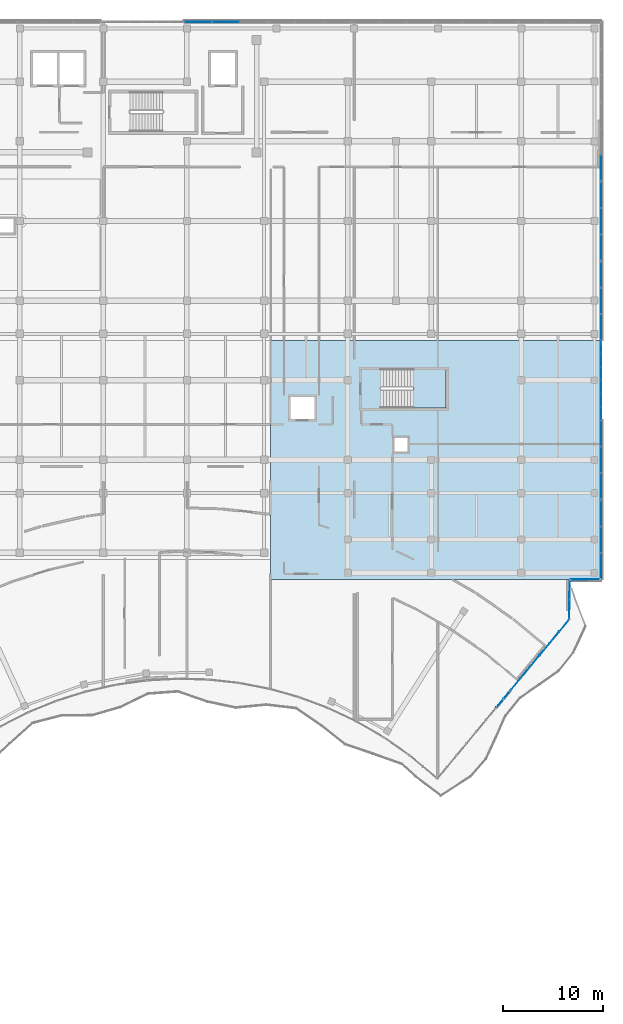
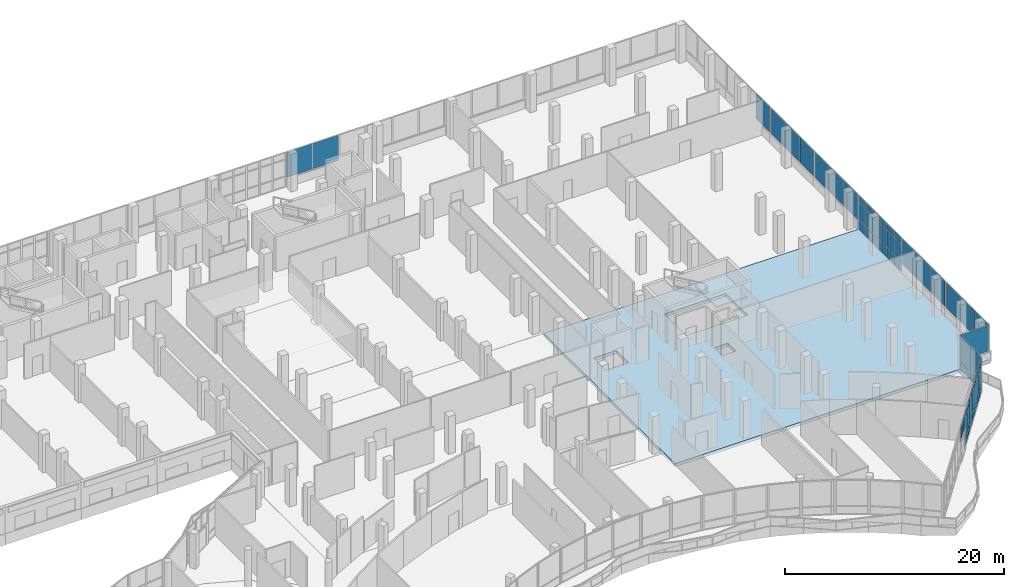
# One storey, part 157 of 184: 58 plates, 2 slabs, 12 elements without a shape of their own.
"""IFC4 building model written with IfcOpenShell, lengths in metres."""

import ifcopenshell
import ifcopenshell.guid

model = None  # the IFC model being written
_history = None  # IfcOwnerHistory: only IFC2X3 demands one
_inside = {}  # id of a spatial element -> (the spatial element, [elements in it])
_under = {}  # id of a project, library or spatial element -> (it, [spatial elements below it])
_declared = {}  # id of a project -> (the project, [libraries it declares])
_typed = {}  # id of a type object -> (the type object, [elements of that type])
_made_of = {}  # id of a material, layer set ... -> (it, [elements and type objects made of it])


def new_model(schema):
    """Start an empty IFC model of exactly this schema.

    Asked for "IFC4X3", IfcOpenShell would pick the latest addendum, in which some entities
    have other attributes; the version numbers below select the first issue.
    IFC2X3 requires an IfcOwnerHistory on every rooted entity: one is made here for all.
    """
    global model, _history
    if schema == "IFC4X3":
        model = ifcopenshell.file(schema_version=(4, 3, 0, 0))
    else:
        model = ifcopenshell.file(schema=schema)
    _inside.clear()
    _under.clear()
    _declared.clear()
    _typed.clear()
    _made_of.clear()
    _history = None
    if model.schema == "IFC2X3":
        org = make("IfcOrganization", Name="unknown")
        user = make(
            "IfcPersonAndOrganization",
            ThePerson=make("IfcPerson", FamilyName="unknown"),
            TheOrganization=org,
        )
        app = make(
            "IfcApplication",
            ApplicationDeveloper=org,
            Version="unknown",
            ApplicationFullName="unknown",
            ApplicationIdentifier="unknown",
        )
        _history = make(
            "IfcOwnerHistory",
            OwningUser=user,
            OwningApplication=app,
            ChangeAction="ADDED",
            CreationDate=0,
        )
    return model


def make(cls, **values):
    """One entity of the class cls with the attributes given. An attribute that is None is left unset."""
    return model.create_entity(
        cls, **{name: value for name, value in values.items() if value is not None}
    )


def rooted(cls, **values):
    """An entity with a GlobalId (a new one), such as an element, a storey or a relation."""
    return make(cls, GlobalId=ifcopenshell.guid.new(), OwnerHistory=_history, **values)


def si_unit(unit_type, name, prefix=None):
    """IfcSIUnit, for example si_unit("LENGTHUNIT", "METRE", prefix="MILLI")."""
    return make("IfcSIUnit", UnitType=unit_type, Prefix=prefix, Name=name)


def assignment(units):
    """IfcUnitAssignment: the units of a project."""
    return None if units is None else make("IfcUnitAssignment", Units=units)


def point(xyz):
    """IfcCartesianPoint."""
    return None if xyz is None else make("IfcCartesianPoint", Coordinates=xyz)


def direction(xyz):
    """IfcDirection."""
    return None if xyz is None else make("IfcDirection", DirectionRatios=xyz)


def frame(location, z_axis=None, x_axis=None):
    """IfcAxis2Placement3D, a coordinate frame: its origin and axes. An axis left out is left unset."""
    return make(
        "IfcAxis2Placement3D",
        Location=point(location),
        Axis=direction(z_axis),
        RefDirection=direction(x_axis),
    )


def frame_2d(location, x_axis=None):
    """IfcAxis2Placement2D, a coordinate frame in the plane: its origin and x axis."""
    return make(
        "IfcAxis2Placement2D", Location=point(location), RefDirection=direction(x_axis)
    )


def origin():
    """The frame at (0, 0, 0) with its axes left unset."""
    return frame((0.0, 0.0, 0.0))


def origin_2d():
    """The frame at (0, 0) in the plane with its x axis left unset."""
    return frame_2d((0.0, 0.0))


def place(relative_to, where):
    """IfcLocalPlacement: puts the frame where relative to a parent placement (None: the world)."""
    return make(
        "IfcLocalPlacement", PlacementRelTo=relative_to, RelativePlacement=where
    )


def context(
    kind, dimensions, precision=None, world=None, true_north=None, identifier=None
):
    """IfcGeometricRepresentationContext, for example the 3D "Model" context."""
    return make(
        "IfcGeometricRepresentationContext",
        ContextIdentifier=identifier,
        ContextType=kind,
        CoordinateSpaceDimension=dimensions,
        Precision=precision,
        WorldCoordinateSystem=world,
        TrueNorth=true_north,
    )


def subcontext(parent, identifier, kind, view, scale=None):
    """IfcGeometricRepresentationSubContext, for example "Body" below "Model"."""
    return make(
        "IfcGeometricRepresentationSubContext",
        ContextIdentifier=identifier,
        ContextType=kind,
        ParentContext=parent,
        TargetScale=scale,
        TargetView=view,
    )


def project(units=None, contexts=None):
    """IfcProject with its units and contexts."""
    return rooted(
        "IfcProject",
        Name="project",
        RepresentationContexts=contexts,
        UnitsInContext=assignment(units),
    )


def spatial(cls, under=None, at=None, **own):
    """A site, building, storey or space (cls), placed at a placement, below another one or the project."""
    s = rooted(cls, ObjectPlacement=at, **own)
    if under is not None:
        _under.setdefault(under.id(), (under, []))[1].append(s)
    return s


def polyline(points):
    """IfcPolyline through the points."""
    return make("IfcPolyline", Points=[point(p) for p in points])


def profile(cls, at=None, kind="AREA", **sizes):
    """A parametric profile (cls). Its sizes go by their IFC names, for example OverallWidth=200.0."""
    return make(cls, ProfileType=kind, Position=at, **sizes)


def rectangle(**sizes):
    """IfcRectangleProfileDef."""
    return profile("IfcRectangleProfileDef", **sizes)


def outline(outer, holes=None, kind="AREA"):
    """IfcArbitraryClosedProfileDef: a profile drawn as a closed curve; with holes, ...WithVoids."""
    if holes is None:
        return make("IfcArbitraryClosedProfileDef", ProfileType=kind, OuterCurve=outer)
    return make(
        "IfcArbitraryProfileDefWithVoids",
        ProfileType=kind,
        OuterCurve=outer,
        InnerCurves=holes,
    )


def extrude(swept, where, along, depth):
    """IfcExtrudedAreaSolid: the profile swept, set in the frame where, extruded along a direction by depth."""
    return make(
        "IfcExtrudedAreaSolid",
        SweptArea=swept,
        Position=where,
        ExtrudedDirection=direction(along),
        Depth=depth,
    )


def shape(context_of_items, identifier, shape_type, items):
    """IfcShapeRepresentation: the items that make up one representation, for example the "Body"."""
    return make(
        "IfcShapeRepresentation",
        ContextOfItems=context_of_items,
        RepresentationIdentifier=identifier,
        RepresentationType=shape_type,
        Items=items,
    )


def material(Name=None, Category=None):
    """IfcMaterial."""
    return make("IfcMaterial", Name=Name, Category=Category)


def layer(
    of_material, thickness, ventilated=None, Name=None, Category=None, Priority=None
):
    """IfcMaterialLayer: one layer of a wall or slab, of a material (None: an air gap)."""
    return make(
        "IfcMaterialLayer",
        Material=of_material,
        LayerThickness=thickness,
        IsVentilated=ventilated,
        Name=Name,
        Category=Category,
        Priority=Priority,
    )


def layer_set(layers, Name=None):
    """IfcMaterialLayerSet."""
    return make("IfcMaterialLayerSet", MaterialLayers=layers, LayerSetName=Name)


def made_of(thing, what):
    """Note that an element or type object is made of a material, layer set ...; save() writes the relation."""
    if what is not None:
        _made_of.setdefault(what.id(), (what, []))[1].append(thing)
    return thing


def type_object(cls, material=None, **own):
    """A type object (cls), such as IfcWallType, which elements share."""
    return made_of(rooted(cls, **own), material)


def element(
    cls,
    number,
    at=None,
    inside=None,
    cuts=None,
    type_object=None,
    material=None,
    context=None,
    identifier="Body",
    shape_type=None,
    held_by="IfcProductDefinitionShape",
    body=None,
    shapes=None,
    **own,
):
    """One element of the class cls, such as IfcWall. Its Tag is "e" and its number.

    at: its placement. inside: the storey or other place that contains it. cuts: it is an
    opening in that element (IfcRelVoidsElement). A single representation is given by context,
    identifier, shape_type and body (its items); several are given by shapes. held_by: the class
    of the entity that holds the representations. save() writes the other relations.
    """
    e = rooted(cls, Tag="e%d" % number, ObjectPlacement=at, **own)
    if body is not None:
        shapes = [shape(context, identifier, shape_type, body)]
    if shapes is not None:
        e.Representation = make(held_by, Representations=shapes)
    if inside is not None:
        _inside.setdefault(inside.id(), (inside, []))[1].append(e)
    if cuts is not None:
        rooted(
            "IfcRelVoidsElement", RelatingBuildingElement=cuts, RelatedOpeningElement=e
        )
    if type_object is not None:
        _typed.setdefault(type_object.id(), (type_object, []))[1].append(e)
    return made_of(e, material)


def aggregate(whole, parts):
    """IfcRelAggregates: a whole, such as a stair, and the parts it consists of."""
    return rooted("IfcRelAggregates", RelatingObject=whole, RelatedObjects=parts)


def save(model, path):
    """Write the relations noted so far, then the file.

    IfcRelAggregates (storeys below a building ...), IfcRelContainedInSpatialStructure (elements
    in a storey), IfcRelDefinesByType, IfcRelAssociatesMaterial and IfcRelDeclares: one each for
    every whole, place, type object, material and project.
    """
    for whole, parts in _under.values():
        aggregate(whole, parts)
    for where, things in _inside.values():
        rooted(
            "IfcRelContainedInSpatialStructure",
            RelatedElements=things,
            RelatingStructure=where,
        )
    for kind, things in _typed.values():
        rooted("IfcRelDefinesByType", RelatedObjects=things, RelatingType=kind)
    for what, things in _made_of.values():
        rooted("IfcRelAssociatesMaterial", RelatedObjects=things, RelatingMaterial=what)
    for by, libraries in _declared.values():
        rooted("IfcRelDeclares", RelatingContext=by, RelatedDefinitions=libraries)
    model.write(path)


model = new_model("IFC4")

# Units and contexts
model_context = context("Model", 3, precision=1e-05, world=origin(), true_north=direction((0.0, 1.0)))
body_context = subcontext(model_context, "Body", "Model", "MODEL_VIEW")
ifc_project = project(units=[si_unit("LENGTHUNIT", "METRE"), si_unit("AREAUNIT", "SQUARE_METRE"), si_unit("VOLUMEUNIT", "CUBIC_METRE"), si_unit("PLANEANGLEUNIT", "RADIAN"), si_unit("MASSUNIT", "GRAM", prefix="KILO")], contexts=[model_context])

# Site, building, storey
site_placement = place(None, origin())
site = spatial("IfcSite", under=ifc_project, at=site_placement, CompositionType="ELEMENT")
building_placement = place(site_placement, origin())
building = spatial("IfcBuilding", under=site, at=building_placement, Name="Selatvlak General Hospital", CompositionType="ELEMENT")
storey_placement = place(building_placement, frame((0.0, 0.0, 15.0)))
storey = spatial("IfcBuildingStorey", under=building, at=storey_placement, Name="L03", CompositionType="ELEMENT", Elevation=15.0)

# Curtain wall, plates
ifc_material_1 = material(Name="Solar-control Low-E double glazing", Category="glass")
curtain_wall_type_1 = type_object("IfcCurtainWallType", Name="CW-CW-02", PredefinedType="USERDEFINED", material=ifc_material_1)
curtain_wall_1_placement = place(storey_placement, origin())
curtain_wall_1 = element("IfcCurtainWall", 1, at=curtain_wall_1_placement, inside=storey, type_object=curtain_wall_type_1, Name="Glazed facade curtain wall CW-L03-0379", ObjectType="UNITISED CURTAIN WALL", PredefinedType="USERDEFINED")
ifc_layer_1 = layer(ifc_material_1, 0.028076171875, Name="Solar-control Low-E double glazing", Category="glass")
ifc_layer_set_1 = layer_set([ifc_layer_1], Name="Solar-control Low-E double glazing")
plate_type_1 = type_object("IfcPlateType", Name="CWP-01", PredefinedType="CURTAIN_PANEL", material=ifc_layer_set_1)
plate_1_placement = place(storey_placement, frame((141.52197265625, 120.0, 1.0048828125), z_axis=(0.0, 0.0, 1.0), x_axis=(1.0, 0.0, 0.0)))
plate_1 = element("IfcPlate", 2, at=plate_1_placement, type_object=plate_type_1, Name="CW-02 panel 1.1", PredefinedType="CURTAIN_PANEL", context=body_context, shape_type="SweptSolid", body=[
    extrude(rectangle(XDim=2.685791015625, YDim=0.028076171875, at=origin_2d()), origin(), (0.0, 0.0, 1.0), 2.824951171875),
])
plate_2_placement = place(storey_placement, frame((144.2890625, 120.0, 1.0048828125), z_axis=(0.0, 0.0, 1.0), x_axis=(1.0, 0.0, 0.0)))
plate_2 = element("IfcPlate", 3, at=plate_2_placement, type_object=plate_type_1, Name="CW-02 panel 2.1", PredefinedType="CURTAIN_PANEL", context=body_context, shape_type="SweptSolid", body=[
    extrude(rectangle(XDim=2.71826171875, YDim=0.028076171875, at=origin_2d()), origin(), (0.0, 0.0, 1.0), 2.824951171875),
])
aggregate(curtain_wall_1, [plate_1, plate_2])

# Curtain wall, plate
curtain_wall_2_placement = place(storey_placement, origin())
curtain_wall_2 = element("IfcCurtainWall", 4, at=curtain_wall_2_placement, inside=storey, type_object=curtain_wall_type_1, Name="Glazed facade curtain wall CW-L03-0385", ObjectType="UNITISED CURTAIN WALL", PredefinedType="USERDEFINED")
plate_3_placement = place(storey_placement, frame((181.999755859375, 105.35205078125, 1.0048828125), z_axis=(0.0, 0.0, 1.0), x_axis=(0.000126278568, -0.999999992027, 0.0)))
plate_3 = element("IfcPlate", 5, at=plate_3_placement, type_object=plate_type_1, Name="CW-02 panel 3.1", PredefinedType="CURTAIN_PANEL", context=body_context, shape_type="SweptSolid", body=[
    extrude(rectangle(XDim=2.542236328125, YDim=0.028076171875, at=origin_2d()), origin(), (0.0, 0.0, 1.0), 2.824951171875),
])
aggregate(curtain_wall_2, [plate_3])

# Curtain wall, plates
curtain_wall_type_2 = type_object("IfcCurtainWallType", Name="CW-CW-01", PredefinedType="USERDEFINED", material=ifc_material_1)
curtain_wall_3_placement = place(storey_placement, origin())
curtain_wall_3 = element("IfcCurtainWall", 6, at=curtain_wall_3_placement, inside=storey, type_object=curtain_wall_type_2, Name="Glazed facade curtain wall CW-L03-0386", ObjectType="UNITISED CURTAIN WALL", PredefinedType="USERDEFINED")
plate_4_placement = place(storey_placement, frame((182.0, 102.599853515625, 1.0048828125), z_axis=(0.0, 0.0, 1.0), x_axis=(0.0, -1.0, 0.0)))
plate_4 = element("IfcPlate", 7, at=plate_4_placement, type_object=plate_type_1, Name="CW-01 panel 1.1", PredefinedType="CURTAIN_PANEL", context=body_context, shape_type="SweptSolid", body=[
    extrude(rectangle(XDim=2.54248046875, YDim=0.028076171875, at=origin_2d()), origin(), (0.0, 0.0, 1.0), 2.824951171875),
])
plate_5_placement = place(storey_placement, frame((182.0, 99.97607421875, 1.0048828125), z_axis=(0.0, 0.0, 1.0), x_axis=(0.0, -1.0, 0.0)))
plate_5 = element("IfcPlate", 8, at=plate_5_placement, type_object=plate_type_1, Name="CW-01 panel 2.1", PredefinedType="CURTAIN_PANEL", context=body_context, shape_type="SweptSolid", body=[
    extrude(rectangle(XDim=2.574951171875, YDim=0.028076171875, at=origin_2d()), origin(), (0.0, 0.0, 1.0), 2.824951171875),
])
plate_6_placement = place(storey_placement, frame((182.0, 97.352294921875, 1.0048828125), z_axis=(0.0, 0.0, 1.0), x_axis=(0.0, -1.0, 0.0)))
plate_6 = element("IfcPlate", 9, at=plate_6_placement, type_object=plate_type_1, Name="CW-01 panel 3.1", PredefinedType="CURTAIN_PANEL", context=body_context, shape_type="SweptSolid", body=[
    extrude(rectangle(XDim=2.54248046875, YDim=0.028076171875, at=origin_2d()), origin(), (0.0, 0.0, 1.0), 2.824951171875),
])
aggregate(curtain_wall_3, [plate_4, plate_5, plate_6])

curtain_wall_4_placement = place(storey_placement, origin())
curtain_wall_4 = element("IfcCurtainWall", 10, at=curtain_wall_4_placement, inside=storey, type_object=curtain_wall_type_1, Name="Glazed facade curtain wall CW-L03-0387", ObjectType="UNITISED CURTAIN WALL", PredefinedType="USERDEFINED")
plate_7_placement = place(storey_placement, frame((182.0, 94.599853515625, 1.0048828125), z_axis=(0.0, 0.0, 1.0), x_axis=(0.0, -1.0, 0.0)))
plate_7 = element("IfcPlate", 11, at=plate_7_placement, type_object=plate_type_1, Name="CW-02 panel 1.1", PredefinedType="CURTAIN_PANEL", context=body_context, shape_type="SweptSolid", body=[
    extrude(rectangle(XDim=2.54248046875, YDim=0.028076171875, at=origin_2d()), origin(), (0.0, 0.0, 1.0), 2.824951171875),
])
plate_8_placement = place(storey_placement, frame((182.0, 91.97607421875, 1.0048828125), z_axis=(0.0, 0.0, 1.0), x_axis=(0.0, -1.0, 0.0)))
plate_8 = element("IfcPlate", 12, at=plate_8_placement, type_object=plate_type_1, Name="CW-02 panel 2.1", PredefinedType="CURTAIN_PANEL", context=body_context, shape_type="SweptSolid", body=[
    extrude(rectangle(XDim=2.574951171875, YDim=0.028076171875, at=origin_2d()), origin(), (0.0, 0.0, 1.0), 2.824951171875),
])
plate_9_placement = place(storey_placement, frame((182.0, 89.352294921875, 1.0048828125), z_axis=(0.0, 0.0, 1.0), x_axis=(0.0, -1.0, 0.0)))
plate_9 = element("IfcPlate", 13, at=plate_9_placement, type_object=plate_type_1, Name="CW-02 panel 3.1", PredefinedType="CURTAIN_PANEL", context=body_context, shape_type="SweptSolid", body=[
    extrude(rectangle(XDim=2.54248046875, YDim=0.028076171875, at=origin_2d()), origin(), (0.0, 0.0, 1.0), 2.824951171875),
])
aggregate(curtain_wall_4, [plate_7, plate_8, plate_9])

curtain_wall_type_3 = type_object("IfcCurtainWallType", Name="CW-CW-04", PredefinedType="USERDEFINED", material=ifc_material_1)
curtain_wall_5_placement = place(storey_placement, origin())
curtain_wall_5 = element("IfcCurtainWall", 14, at=curtain_wall_5_placement, inside=storey, type_object=curtain_wall_type_3, Name="Glazed facade curtain wall CW-L03-0388", ObjectType="STICK GLAZING WALL", PredefinedType="USERDEFINED")
plate_10_placement = place(storey_placement, frame((182.0, 87.3056640625, 0.06494140625), z_axis=(0.0, 0.0, 1.0), x_axis=(0.0, -1.0, 0.0)))
plate_10 = element("IfcPlate", 15, at=plate_10_placement, type_object=plate_type_1, Name="CW-04 panel 1.1", PredefinedType="CURTAIN_PANEL", context=body_context, shape_type="SweptSolid", body=[
    extrude(rectangle(XDim=1.230712890625, YDim=0.028076171875, at=origin_2d()), origin(), (0.0, 0.0, 1.0), 1.1025390625),
])
plate_11_placement = place(storey_placement, frame((182.0, 87.3056640625, 1.232421875), z_axis=(0.0, 0.0, 1.0), x_axis=(0.0, -1.0, 0.0)))
plate_11 = element("IfcPlate", 16, at=plate_11_placement, type_object=plate_type_1, Name="CW-04 panel 1.2", PredefinedType="CURTAIN_PANEL", context=body_context, shape_type="SweptSolid", body=[
    extrude(rectangle(XDim=1.230712890625, YDim=0.028076171875, at=origin_2d()), origin(), (0.0, 0.0, 1.0), 1.830078125),
])
plate_12_placement = place(storey_placement, frame((182.0, 87.3056640625, 3.12744140625), z_axis=(0.0, 0.0, 1.0), x_axis=(0.0, -1.0, 0.0)))
plate_12 = element("IfcPlate", 17, at=plate_12_placement, type_object=plate_type_1, Name="CW-04 panel 1.3", PredefinedType="CURTAIN_PANEL", context=body_context, shape_type="SweptSolid", body=[
    extrude(rectangle(XDim=1.230712890625, YDim=0.028076171875, at=origin_2d()), origin(), (0.0, 0.0, 1.0), 0.702392578125),
])
plate_13_placement = place(storey_placement, frame((182.0, 85.993408203125, 0.06494140625), z_axis=(0.0, 0.0, 1.0), x_axis=(0.0, -1.0, 0.0)))
plate_13 = element("IfcPlate", 18, at=plate_13_placement, type_object=plate_type_1, Name="CW-04 panel 2.1", PredefinedType="CURTAIN_PANEL", context=body_context, shape_type="SweptSolid", body=[
    extrude(rectangle(XDim=1.263427734375, YDim=0.028076171875, at=origin_2d()), origin(), (0.0, 0.0, 1.0), 1.1025390625),
])
plate_14_placement = place(storey_placement, frame((182.0, 85.993408203125, 1.232421875), z_axis=(0.0, 0.0, 1.0), x_axis=(0.0, -1.0, 0.0)))
plate_14 = element("IfcPlate", 19, at=plate_14_placement, type_object=plate_type_1, Name="CW-04 panel 2.2", PredefinedType="CURTAIN_PANEL", context=body_context, shape_type="SweptSolid", body=[
    extrude(rectangle(XDim=1.263427734375, YDim=0.028076171875, at=origin_2d()), origin(), (0.0, 0.0, 1.0), 1.830078125),
])
plate_15_placement = place(storey_placement, frame((182.0, 85.993408203125, 3.12744140625), z_axis=(0.0, 0.0, 1.0), x_axis=(0.0, -1.0, 0.0)))
plate_15 = element("IfcPlate", 20, at=plate_15_placement, type_object=plate_type_1, Name="CW-04 panel 2.3", PredefinedType="CURTAIN_PANEL", context=body_context, shape_type="SweptSolid", body=[
    extrude(rectangle(XDim=1.263427734375, YDim=0.028076171875, at=origin_2d()), origin(), (0.0, 0.0, 1.0), 0.702392578125),
])
plate_16_placement = place(storey_placement, frame((182.0, 84.665283203125, 0.06494140625), z_axis=(0.0, 0.0, 1.0), x_axis=(0.0, -1.0, 0.0)))
plate_16 = element("IfcPlate", 21, at=plate_16_placement, type_object=plate_type_1, Name="CW-04 panel 3.1", PredefinedType="CURTAIN_PANEL", context=body_context, shape_type="SweptSolid", body=[
    extrude(rectangle(XDim=1.263427734375, YDim=0.028076171875, at=origin_2d()), origin(), (0.0, 0.0, 1.0), 1.1025390625),
])
plate_17_placement = place(storey_placement, frame((182.0, 84.665283203125, 1.232421875), z_axis=(0.0, 0.0, 1.0), x_axis=(0.0, -1.0, 0.0)))
plate_17 = element("IfcPlate", 22, at=plate_17_placement, type_object=plate_type_1, Name="CW-04 panel 3.2", PredefinedType="CURTAIN_PANEL", context=body_context, shape_type="SweptSolid", body=[
    extrude(rectangle(XDim=1.263427734375, YDim=0.028076171875, at=origin_2d()), origin(), (0.0, 0.0, 1.0), 1.830078125),
])
plate_18_placement = place(storey_placement, frame((182.0, 84.665283203125, 3.12744140625), z_axis=(0.0, 0.0, 1.0), x_axis=(0.0, -1.0, 0.0)))
plate_18 = element("IfcPlate", 23, at=plate_18_placement, type_object=plate_type_1, Name="CW-04 panel 3.3", PredefinedType="CURTAIN_PANEL", context=body_context, shape_type="SweptSolid", body=[
    extrude(rectangle(XDim=1.263427734375, YDim=0.028076171875, at=origin_2d()), origin(), (0.0, 0.0, 1.0), 0.702392578125),
])
plate_19_placement = place(storey_placement, frame((182.0, 83.3369140625, 0.06494140625), z_axis=(0.0, 0.0, 1.0), x_axis=(0.0, -1.0, 0.0)))
plate_19 = element("IfcPlate", 24, at=plate_19_placement, type_object=plate_type_1, Name="CW-04 panel 4.1", PredefinedType="CURTAIN_PANEL", context=body_context, shape_type="SweptSolid", body=[
    extrude(rectangle(XDim=1.263427734375, YDim=0.028076171875, at=origin_2d()), origin(), (0.0, 0.0, 1.0), 1.1025390625),
])
plate_20_placement = place(storey_placement, frame((182.0, 83.3369140625, 1.232421875), z_axis=(0.0, 0.0, 1.0), x_axis=(0.0, -1.0, 0.0)))
plate_20 = element("IfcPlate", 25, at=plate_20_placement, type_object=plate_type_1, Name="CW-04 panel 4.2", PredefinedType="CURTAIN_PANEL", context=body_context, shape_type="SweptSolid", body=[
    extrude(rectangle(XDim=1.263427734375, YDim=0.028076171875, at=origin_2d()), origin(), (0.0, 0.0, 1.0), 1.830078125),
])
plate_21_placement = place(storey_placement, frame((182.0, 83.3369140625, 3.12744140625), z_axis=(0.0, 0.0, 1.0), x_axis=(0.0, -1.0, 0.0)))
plate_21 = element("IfcPlate", 26, at=plate_21_placement, type_object=plate_type_1, Name="CW-04 panel 4.3", PredefinedType="CURTAIN_PANEL", context=body_context, shape_type="SweptSolid", body=[
    extrude(rectangle(XDim=1.263427734375, YDim=0.028076171875, at=origin_2d()), origin(), (0.0, 0.0, 1.0), 0.702392578125),
])
plate_22_placement = place(storey_placement, frame((182.0, 82.008544921875, 0.06494140625), z_axis=(0.0, 0.0, 1.0), x_axis=(0.0, -1.0, 0.0)))
plate_22 = element("IfcPlate", 27, at=plate_22_placement, type_object=plate_type_1, Name="CW-04 panel 5.1", PredefinedType="CURTAIN_PANEL", context=body_context, shape_type="SweptSolid", body=[
    extrude(rectangle(XDim=1.263427734375, YDim=0.028076171875, at=origin_2d()), origin(), (0.0, 0.0, 1.0), 1.1025390625),
])
plate_23_placement = place(storey_placement, frame((182.0, 82.008544921875, 1.232421875), z_axis=(0.0, 0.0, 1.0), x_axis=(0.0, -1.0, 0.0)))
plate_23 = element("IfcPlate", 28, at=plate_23_placement, type_object=plate_type_1, Name="CW-04 panel 5.2", PredefinedType="CURTAIN_PANEL", context=body_context, shape_type="SweptSolid", body=[
    extrude(rectangle(XDim=1.263427734375, YDim=0.028076171875, at=origin_2d()), origin(), (0.0, 0.0, 1.0), 1.830078125),
])
plate_24_placement = place(storey_placement, frame((182.0, 82.008544921875, 3.12744140625), z_axis=(0.0, 0.0, 1.0), x_axis=(0.0, -1.0, 0.0)))
plate_24 = element("IfcPlate", 29, at=plate_24_placement, type_object=plate_type_1, Name="CW-04 panel 5.3", PredefinedType="CURTAIN_PANEL", context=body_context, shape_type="SweptSolid", body=[
    extrude(rectangle(XDim=1.263427734375, YDim=0.028076171875, at=origin_2d()), origin(), (0.0, 0.0, 1.0), 0.702392578125),
])
plate_25_placement = place(storey_placement, frame((182.0, 80.696533203125, 0.06494140625), z_axis=(0.0, 0.0, 1.0), x_axis=(0.0, -1.0, 0.0)))
plate_25 = element("IfcPlate", 30, at=plate_25_placement, type_object=plate_type_1, Name="CW-04 panel 6.1", PredefinedType="CURTAIN_PANEL", context=body_context, shape_type="SweptSolid", body=[
    extrude(rectangle(XDim=1.230712890625, YDim=0.028076171875, at=origin_2d()), origin(), (0.0, 0.0, 1.0), 1.1025390625),
])
plate_26_placement = place(storey_placement, frame((182.0, 80.696533203125, 1.232421875), z_axis=(0.0, 0.0, 1.0), x_axis=(0.0, -1.0, 0.0)))
plate_26 = element("IfcPlate", 31, at=plate_26_placement, type_object=plate_type_1, Name="CW-04 panel 6.2", PredefinedType="CURTAIN_PANEL", context=body_context, shape_type="SweptSolid", body=[
    extrude(rectangle(XDim=1.230712890625, YDim=0.028076171875, at=origin_2d()), origin(), (0.0, 0.0, 1.0), 1.830078125),
])
plate_27_placement = place(storey_placement, frame((182.0, 80.696533203125, 3.12744140625), z_axis=(0.0, 0.0, 1.0), x_axis=(0.0, -1.0, 0.0)))
plate_27 = element("IfcPlate", 32, at=plate_27_placement, type_object=plate_type_1, Name="CW-04 panel 6.3", PredefinedType="CURTAIN_PANEL", context=body_context, shape_type="SweptSolid", body=[
    extrude(rectangle(XDim=1.230712890625, YDim=0.028076171875, at=origin_2d()), origin(), (0.0, 0.0, 1.0), 0.702392578125),
])
aggregate(curtain_wall_5, [plate_10, plate_11, plate_12, plate_13, plate_14, plate_15, plate_16, plate_17, plate_18, plate_19, plate_20, plate_21, plate_22, plate_23, plate_24, plate_25, plate_26, plate_27])

curtain_wall_6_placement = place(storey_placement, origin())
curtain_wall_6 = element("IfcCurtainWall", 33, at=curtain_wall_6_placement, inside=storey, type_object=curtain_wall_type_1, Name="Glazed facade curtain wall CW-L03-0389", ObjectType="UNITISED CURTAIN WALL", PredefinedType="USERDEFINED")
plate_28_placement = place(storey_placement, frame((182.0, 78.641357421875, 1.0048828125), z_axis=(0.0, 0.0, 1.0), x_axis=(0.0, -1.0, 0.0)))
plate_28 = element("IfcPlate", 34, at=plate_28_placement, type_object=plate_type_1, Name="CW-02 panel 1.1", PredefinedType="CURTAIN_PANEL", context=body_context, shape_type="SweptSolid", body=[
    extrude(rectangle(XDim=2.55908203125, YDim=0.028076171875, at=origin_2d()), origin(), (0.0, 0.0, 1.0), 2.824951171875),
])
plate_29_placement = place(storey_placement, frame((182.0, 76.0009765625, 1.0048828125), z_axis=(0.0, 0.0, 1.0), x_axis=(0.0, -1.0, 0.0)))
plate_29 = element("IfcPlate", 35, at=plate_29_placement, type_object=plate_type_1, Name="CW-02 panel 2.1", PredefinedType="CURTAIN_PANEL", context=body_context, shape_type="SweptSolid", body=[
    extrude(rectangle(XDim=2.591552734375, YDim=0.028076171875, at=origin_2d()), origin(), (0.0, 0.0, 1.0), 2.824951171875),
])
plate_30_placement = place(storey_placement, frame((182.0, 73.360595703125, 1.0048828125), z_axis=(0.0, 0.0, 1.0), x_axis=(0.0, -1.0, 0.0)))
plate_30 = element("IfcPlate", 36, at=plate_30_placement, type_object=plate_type_1, Name="CW-02 panel 3.1", PredefinedType="CURTAIN_PANEL", context=body_context, shape_type="SweptSolid", body=[
    extrude(rectangle(XDim=2.55908203125, YDim=0.028076171875, at=origin_2d()), origin(), (0.0, 0.0, 1.0), 2.824951171875),
])
aggregate(curtain_wall_6, [plate_28, plate_29, plate_30])

curtain_wall_7_placement = place(storey_placement, origin())
curtain_wall_7 = element("IfcCurtainWall", 37, at=curtain_wall_7_placement, inside=storey, type_object=curtain_wall_type_2, Name="Glazed facade curtain wall CW-L03-0390", ObjectType="UNITISED CURTAIN WALL", PredefinedType="USERDEFINED")
plate_31_placement = place(storey_placement, frame((182.0, 70.599853515625, 1.0048828125), z_axis=(0.0, 0.0, 1.0), x_axis=(0.0, -1.0, 0.0)))
plate_31 = element("IfcPlate", 38, at=plate_31_placement, type_object=plate_type_1, Name="CW-01 panel 1.1", PredefinedType="CURTAIN_PANEL", context=body_context, shape_type="SweptSolid", body=[
    extrude(rectangle(XDim=2.54248046875, YDim=0.028076171875, at=origin_2d()), origin(), (0.0, 0.0, 1.0), 2.824951171875),
])
plate_32_placement = place(storey_placement, frame((182.0, 67.97607421875, 1.0048828125), z_axis=(0.0, 0.0, 1.0), x_axis=(0.0, -1.0, 0.0)))
plate_32 = element("IfcPlate", 39, at=plate_32_placement, type_object=plate_type_1, Name="CW-01 panel 2.1", PredefinedType="CURTAIN_PANEL", context=body_context, shape_type="SweptSolid", body=[
    extrude(rectangle(XDim=2.574951171875, YDim=0.028076171875, at=origin_2d()), origin(), (0.0, 0.0, 1.0), 2.824951171875),
])
plate_33_placement = place(storey_placement, frame((182.0, 65.352294921875, 1.0048828125), z_axis=(0.0, 0.0, 1.0), x_axis=(0.0, -1.0, 0.0)))
plate_33 = element("IfcPlate", 40, at=plate_33_placement, type_object=plate_type_1, Name="CW-01 panel 3.1", PredefinedType="CURTAIN_PANEL", context=body_context, shape_type="SweptSolid", body=[
    extrude(rectangle(XDim=2.54248046875, YDim=0.028076171875, at=origin_2d()), origin(), (0.0, 0.0, 1.0), 2.824951171875),
])
aggregate(curtain_wall_7, [plate_31, plate_32, plate_33])

curtain_wall_8_placement = place(storey_placement, origin())
curtain_wall_8 = element("IfcCurtainWall", 41, at=curtain_wall_8_placement, inside=storey, type_object=curtain_wall_type_1, Name="Glazed facade curtain wall CW-L03-0392", ObjectType="UNITISED CURTAIN WALL", PredefinedType="USERDEFINED")
plate_34_placement = place(storey_placement, frame((178.8447265625, 62.9638671875, 0.06494140625), z_axis=(0.0, 0.0, 1.0), x_axis=(-0.014923710969, -0.999888635224, 0.0)))
plate_34 = element("IfcPlate", 42, at=plate_34_placement, type_object=plate_type_1, Name="CW-02 panel 1.1", PredefinedType="CURTAIN_PANEL", context=body_context, shape_type="SweptSolid", body=[
    extrude(rectangle(XDim=1.912841796875, YDim=0.028076171875, at=origin_2d()), origin(), (0.0, 0.0, 1.0), 0.8525390625),
])
plate_35_placement = place(storey_placement, frame((178.8447265625, 62.9638671875, 0.982421875), z_axis=(0.0, 0.0, 1.0), x_axis=(-0.014923710969, -0.999888635224, 0.0)))
plate_35 = element("IfcPlate", 43, at=plate_35_placement, type_object=plate_type_1, Name="CW-02 panel 1.2", PredefinedType="CURTAIN_PANEL", context=body_context, shape_type="SweptSolid", body=[
    extrude(rectangle(XDim=1.912841796875, YDim=0.028076171875, at=origin_2d()), origin(), (0.0, 0.0, 1.0), 2.847412109375),
])
plate_36_placement = place(storey_placement, frame((178.815185546875, 60.986328125, 0.06494140625), z_axis=(0.0, 0.0, 1.0), x_axis=(-0.014923710969, -0.999888635224, 0.0)))
plate_36 = element("IfcPlate", 44, at=plate_36_placement, type_object=plate_type_1, Name="CW-02 panel 2.1", PredefinedType="CURTAIN_PANEL", context=body_context, shape_type="SweptSolid", body=[
    extrude(rectangle(XDim=1.912841796875, YDim=0.028076171875, at=origin_2d()), origin(), (0.0, 0.0, 1.0), 0.8525390625),
])
plate_37_placement = place(storey_placement, frame((178.815185546875, 60.986328125, 0.982421875), z_axis=(0.0, 0.0, 1.0), x_axis=(-0.014923710969, -0.999888635224, 0.0)))
plate_37 = element("IfcPlate", 45, at=plate_37_placement, type_object=plate_type_1, Name="CW-02 panel 2.2", PredefinedType="CURTAIN_PANEL", context=body_context, shape_type="SweptSolid", body=[
    extrude(rectangle(XDim=1.912841796875, YDim=0.028076171875, at=origin_2d()), origin(), (0.0, 0.0, 1.0), 2.847412109375),
])
aggregate(curtain_wall_8, [plate_34, plate_35, plate_36, plate_37])

curtain_wall_9_placement = place(storey_placement, origin())
curtain_wall_9 = element("IfcCurtainWall", 46, at=curtain_wall_9_placement, inside=storey, type_object=curtain_wall_type_1, Name="Glazed facade curtain wall CW-L03-0393", ObjectType="UNITISED CURTAIN WALL", PredefinedType="USERDEFINED")
plate_38_placement = place(storey_placement, frame((172.532958984375, 52.380615234375, 2.384765625), z_axis=(0.0, 0.0, 1.0), x_axis=(-0.6378834291, -0.770132930655, 0.0)))
plate_38 = element("IfcPlate", 47, at=plate_38_placement, type_object=plate_type_1, Name="CW-02 panel 1.1", PredefinedType="CURTAIN_PANEL", context=body_context, shape_type="SweptSolid", body=[
    extrude(rectangle(XDim=1.03662109375, YDim=0.028076171875, at=origin_2d()), origin(), (0.0, 0.0, 1.0), 1.445068359375),
])
plate_39_placement = place(storey_placement, frame((171.830078125, 51.5322265625, 2.384765625), z_axis=(0.0, 0.0, 1.0), x_axis=(-0.6378834291, -0.770132930655, 0.0)))
plate_39 = element("IfcPlate", 48, at=plate_39_placement, type_object=plate_type_1, Name="CW-02 panel 2.1", PredefinedType="CURTAIN_PANEL", context=body_context, shape_type="SweptSolid", body=[
    extrude(rectangle(XDim=1.03662109375, YDim=0.028076171875, at=origin_2d()), origin(), (0.0, 0.0, 1.0), 1.445068359375),
])
aggregate(curtain_wall_9, [plate_38, plate_39])

curtain_wall_10_placement = place(storey_placement, origin())
curtain_wall_10 = element("IfcCurtainWall", 49, at=curtain_wall_10_placement, inside=storey, type_object=curtain_wall_type_2, Name="Glazed facade curtain wall CW-L03-0394", ObjectType="UNITISED CURTAIN WALL", PredefinedType="USERDEFINED")
plate_40_placement = place(storey_placement, frame((178.261474609375, 59.29931640625, 0.06494140625), z_axis=(0.0, 0.0, 1.0), x_axis=(-0.637739992245, -0.770251713592, 0.0)))
plate_40 = element("IfcPlate", 50, at=plate_40_placement, type_object=plate_type_1, Name="CW-01 panel 1.1", PredefinedType="CURTAIN_PANEL", context=body_context, shape_type="SweptSolid", body=[
    extrude(rectangle(XDim=1.427001953125, YDim=0.028076171875, at=origin_2d()), origin(), (0.0, 0.0, 1.0), 0.802490234375),
])
plate_41_placement = place(storey_placement, frame((178.261474609375, 59.29931640625, 0.9326171875), z_axis=(0.0, 0.0, 1.0), x_axis=(-0.637739992245, -0.770251713592, 0.0)))
plate_41 = element("IfcPlate", 51, at=plate_41_placement, type_object=plate_type_1, Name="CW-01 panel 1.2", PredefinedType="CURTAIN_PANEL", context=body_context, shape_type="SweptSolid", body=[
    extrude(rectangle(XDim=1.427001953125, YDim=0.028076171875, at=origin_2d()), origin(), (0.0, 0.0, 1.0), 2.280029296875),
])
plate_42_placement = place(storey_placement, frame((178.261474609375, 59.29931640625, 3.27734375), z_axis=(0.0, 0.0, 1.0), x_axis=(-0.637739992245, -0.770251713592, 0.0)))
plate_42 = element("IfcPlate", 52, at=plate_42_placement, type_object=plate_type_1, Name="CW-01 panel 1.3", PredefinedType="CURTAIN_PANEL", context=body_context, shape_type="SweptSolid", body=[
    extrude(rectangle(XDim=1.427001953125, YDim=0.028076171875, at=origin_2d()), origin(), (0.0, 0.0, 1.0), 0.552490234375),
])
plate_43_placement = place(storey_placement, frame((177.2998046875, 58.1376953125, 0.06494140625), z_axis=(0.0, 0.0, 1.0), x_axis=(-0.637739992245, -0.770251713592, 0.0)))
plate_43 = element("IfcPlate", 53, at=plate_43_placement, type_object=plate_type_1, Name="CW-01 panel 2.1", PredefinedType="CURTAIN_PANEL", context=body_context, shape_type="SweptSolid", body=[
    extrude(rectangle(XDim=1.45947265625, YDim=0.028076171875, at=origin_2d()), origin(), (0.0, 0.0, 1.0), 0.802490234375),
])
plate_44_placement = place(storey_placement, frame((177.2998046875, 58.1376953125, 0.9326171875), z_axis=(0.0, 0.0, 1.0), x_axis=(-0.637739992245, -0.770251713592, 0.0)))
plate_44 = element("IfcPlate", 54, at=plate_44_placement, type_object=plate_type_1, Name="CW-01 panel 2.2", PredefinedType="CURTAIN_PANEL", context=body_context, shape_type="SweptSolid", body=[
    extrude(rectangle(XDim=1.45947265625, YDim=0.028076171875, at=origin_2d()), origin(), (0.0, 0.0, 1.0), 2.280029296875),
])
plate_45_placement = place(storey_placement, frame((177.2998046875, 58.1376953125, 3.27734375), z_axis=(0.0, 0.0, 1.0), x_axis=(-0.637739992245, -0.770251713592, 0.0)))
plate_45 = element("IfcPlate", 55, at=plate_45_placement, type_object=plate_type_1, Name="CW-01 panel 2.3", PredefinedType="CURTAIN_PANEL", context=body_context, shape_type="SweptSolid", body=[
    extrude(rectangle(XDim=1.45947265625, YDim=0.028076171875, at=origin_2d()), origin(), (0.0, 0.0, 1.0), 0.552490234375),
])
plate_46_placement = place(storey_placement, frame((176.32763671875, 56.963623046875, 0.06494140625), z_axis=(0.0, 0.0, 1.0), x_axis=(-0.637739992245, -0.770251713592, 0.0)))
plate_46 = element("IfcPlate", 56, at=plate_46_placement, type_object=plate_type_1, Name="CW-01 panel 3.1", PredefinedType="CURTAIN_PANEL", context=body_context, shape_type="SweptSolid", body=[
    extrude(rectangle(XDim=1.45947265625, YDim=0.028076171875, at=origin_2d()), origin(), (0.0, 0.0, 1.0), 0.802490234375),
])
plate_47_placement = place(storey_placement, frame((176.32763671875, 56.963623046875, 0.9326171875), z_axis=(0.0, 0.0, 1.0), x_axis=(-0.637739992245, -0.770251713592, 0.0)))
plate_47 = element("IfcPlate", 57, at=plate_47_placement, type_object=plate_type_1, Name="CW-01 panel 3.2", PredefinedType="CURTAIN_PANEL", context=body_context, shape_type="SweptSolid", body=[
    extrude(rectangle(XDim=1.45947265625, YDim=0.028076171875, at=origin_2d()), origin(), (0.0, 0.0, 1.0), 2.280029296875),
])
plate_48_placement = place(storey_placement, frame((176.32763671875, 56.963623046875, 3.27734375), z_axis=(0.0, 0.0, 1.0), x_axis=(-0.637739992245, -0.770251713592, 0.0)))
plate_48 = element("IfcPlate", 58, at=plate_48_placement, type_object=plate_type_1, Name="CW-01 panel 3.3", PredefinedType="CURTAIN_PANEL", context=body_context, shape_type="SweptSolid", body=[
    extrude(rectangle(XDim=1.45947265625, YDim=0.028076171875, at=origin_2d()), origin(), (0.0, 0.0, 1.0), 0.552490234375),
])
plate_49_placement = place(storey_placement, frame((175.35546875, 55.789306640625, 0.06494140625), z_axis=(0.0, 0.0, 1.0), x_axis=(-0.637739992245, -0.770251713592, 0.0)))
plate_49 = element("IfcPlate", 59, at=plate_49_placement, type_object=plate_type_1, Name="CW-01 panel 4.1", PredefinedType="CURTAIN_PANEL", context=body_context, shape_type="SweptSolid", body=[
    extrude(rectangle(XDim=1.45947265625, YDim=0.028076171875, at=origin_2d()), origin(), (0.0, 0.0, 1.0), 0.802490234375),
])
plate_50_placement = place(storey_placement, frame((175.35546875, 55.789306640625, 0.9326171875), z_axis=(0.0, 0.0, 1.0), x_axis=(-0.637739992245, -0.770251713592, 0.0)))
plate_50 = element("IfcPlate", 60, at=plate_50_placement, type_object=plate_type_1, Name="CW-01 panel 4.2", PredefinedType="CURTAIN_PANEL", context=body_context, shape_type="SweptSolid", body=[
    extrude(rectangle(XDim=1.45947265625, YDim=0.028076171875, at=origin_2d()), origin(), (0.0, 0.0, 1.0), 2.280029296875),
])
plate_51_placement = place(storey_placement, frame((175.35546875, 55.789306640625, 3.27734375), z_axis=(0.0, 0.0, 1.0), x_axis=(-0.637739992245, -0.770251713592, 0.0)))
plate_51 = element("IfcPlate", 61, at=plate_51_placement, type_object=plate_type_1, Name="CW-01 panel 4.3", PredefinedType="CURTAIN_PANEL", context=body_context, shape_type="SweptSolid", body=[
    extrude(rectangle(XDim=1.45947265625, YDim=0.028076171875, at=origin_2d()), origin(), (0.0, 0.0, 1.0), 0.552490234375),
])
plate_52_placement = place(storey_placement, frame((174.38330078125, 54.615234375, 0.06494140625), z_axis=(0.0, 0.0, 1.0), x_axis=(-0.637739992245, -0.770251713592, 0.0)))
plate_52 = element("IfcPlate", 62, at=plate_52_placement, type_object=plate_type_1, Name="CW-01 panel 5.1", PredefinedType="CURTAIN_PANEL", context=body_context, shape_type="SweptSolid", body=[
    extrude(rectangle(XDim=1.45947265625, YDim=0.028076171875, at=origin_2d()), origin(), (0.0, 0.0, 1.0), 0.802490234375),
])
plate_53_placement = place(storey_placement, frame((174.38330078125, 54.615234375, 0.9326171875), z_axis=(0.0, 0.0, 1.0), x_axis=(-0.637739992245, -0.770251713592, 0.0)))
plate_53 = element("IfcPlate", 63, at=plate_53_placement, type_object=plate_type_1, Name="CW-01 panel 5.2", PredefinedType="CURTAIN_PANEL", context=body_context, shape_type="SweptSolid", body=[
    extrude(rectangle(XDim=1.45947265625, YDim=0.028076171875, at=origin_2d()), origin(), (0.0, 0.0, 1.0), 2.280029296875),
])
plate_54_placement = place(storey_placement, frame((174.38330078125, 54.615234375, 3.27734375), z_axis=(0.0, 0.0, 1.0), x_axis=(-0.637739992245, -0.770251713592, 0.0)))
plate_54 = element("IfcPlate", 64, at=plate_54_placement, type_object=plate_type_1, Name="CW-01 panel 5.3", PredefinedType="CURTAIN_PANEL", context=body_context, shape_type="SweptSolid", body=[
    extrude(rectangle(XDim=1.45947265625, YDim=0.028076171875, at=origin_2d()), origin(), (0.0, 0.0, 1.0), 0.552490234375),
])
plate_55_placement = place(storey_placement, frame((173.42138671875, 53.45361328125, 0.06494140625), z_axis=(0.0, 0.0, 1.0), x_axis=(-0.637739992245, -0.770251713592, 0.0)))
plate_55 = element("IfcPlate", 65, at=plate_55_placement, type_object=plate_type_1, Name="CW-01 panel 6.1", PredefinedType="CURTAIN_PANEL", context=body_context, shape_type="SweptSolid", body=[
    extrude(rectangle(XDim=1.427001953125, YDim=0.028076171875, at=origin_2d()), origin(), (0.0, 0.0, 1.0), 0.802490234375),
])
plate_56_placement = place(storey_placement, frame((173.42138671875, 53.45361328125, 0.9326171875), z_axis=(0.0, 0.0, 1.0), x_axis=(-0.637739992245, -0.770251713592, 0.0)))
plate_56 = element("IfcPlate", 66, at=plate_56_placement, type_object=plate_type_1, Name="CW-01 panel 6.2", PredefinedType="CURTAIN_PANEL", context=body_context, shape_type="SweptSolid", body=[
    extrude(rectangle(XDim=1.427001953125, YDim=0.028076171875, at=origin_2d()), origin(), (0.0, 0.0, 1.0), 2.280029296875),
])
plate_57_placement = place(storey_placement, frame((173.42138671875, 53.45361328125, 3.27734375), z_axis=(0.0, 0.0, 1.0), x_axis=(-0.637739992245, -0.770251713592, 0.0)))
plate_57 = element("IfcPlate", 67, at=plate_57_placement, type_object=plate_type_1, Name="CW-01 panel 6.3", PredefinedType="CURTAIN_PANEL", context=body_context, shape_type="SweptSolid", body=[
    extrude(rectangle(XDim=1.427001953125, YDim=0.028076171875, at=origin_2d()), origin(), (0.0, 0.0, 1.0), 0.552490234375),
])
aggregate(curtain_wall_10, [plate_40, plate_41, plate_42, plate_43, plate_44, plate_45, plate_46, plate_47, plate_48, plate_49, plate_50, plate_51, plate_52, plate_53, plate_54, plate_55, plate_56, plate_57])

# Curtain wall, plate
curtain_wall_type_4 = type_object("IfcCurtainWallType", Name="CW-CW-03", PredefinedType="USERDEFINED", material=ifc_material_1)
curtain_wall_11_placement = place(storey_placement, origin())
curtain_wall_11 = element("IfcCurtainWall", 68, at=curtain_wall_11_placement, inside=storey, type_object=curtain_wall_type_4, Name="Glazed facade curtain wall CW-L03-0391", ObjectType="UNITISED CURTAIN WALL", PredefinedType="USERDEFINED")
ifc_material_2 = material(Name="White Bauhaus insulated spandrel cassette")
ifc_layer_2 = layer(ifc_material_2, 0.035888671875, Name="White Bauhaus insulated spandrel cassette")
ifc_layer_set_2 = layer_set([ifc_layer_2], Name="White Bauhaus insulated spandrel cassette")
plate_type_2 = type_object("IfcPlateType", Name="CWP-02", PredefinedType="CURTAIN_PANEL", material=ifc_layer_set_2)
plate_58_placement = place(storey_placement, frame((180.405029296875, 64.00048828125, 1.0048828125), z_axis=(0.0, 0.0, 1.0), x_axis=(-0.999999946602, -0.000326797363, 0.0)))
plate_58 = element("IfcPlate", 69, at=plate_58_placement, type_object=plate_type_2, Name="CW-03 panel 1.1", PredefinedType="CURTAIN_PANEL", context=body_context, shape_type="SweptSolid", body=[
    extrude(rectangle(XDim=2.929931640625, YDim=0.035888671875, at=origin_2d()), origin(), (0.0, 0.0, 1.0), 2.824951171875),
])
aggregate(curtain_wall_11, [plate_58])

# Stair, slab
ifc_material_3 = material(Name="Precast concrete C40/50", Category="concrete")
stair_type = type_object("IfcStairType", Name="STAIR-ST-06", PredefinedType="HALF_TURN_STAIR", material=ifc_material_3)
stair_placement = place(storey_placement, origin())
stair = element("IfcStair", 70, at=stair_placement, inside=storey, type_object=stair_type, Name="L03 Protected exit stair ST-06", PredefinedType="HALF_TURN_STAIR")
ifc_material_4 = material(Name="Concrete C40/50", Category="concrete")
ifc_layer_3 = layer(ifc_material_4, 0.199951171875, Name="Concrete C40/50", Category="concrete")
ifc_layer_set_3 = layer_set([ifc_layer_3], Name="Concrete C40/50")
slab_type_1 = type_object("IfcSlabType", Name="SLAB-LND1", PredefinedType="LANDING", material=ifc_layer_set_3)
slab_1_placement = place(storey_placement, frame((0.0, 0.0, 1.89990234375)))
slab_1 = element("IfcSlab", 71, at=slab_1_placement, type_object=slab_type_1, Name="ST-06 landing 1", PredefinedType="LANDING", context=body_context, shape_type="SweptSolid", body=[
    extrude(outline(polyline([(163.114990234375, 81.199951171875), (166.39990234375, 81.199951171875), (166.39990234375, 85.139892578125), (163.114990234375, 85.139892578125), (163.114990234375, 81.199951171875)])), origin(), (0.0, 0.0, 1.0), 0.2001953125),
])
aggregate(stair, [slab_1])

# Slab
ifc_layer_4 = layer(ifc_material_4, 0.340087890625, Name="Concrete C40/50", Category="concrete")
ifc_layer_set_4 = layer_set([ifc_layer_4], Name="Concrete C40/50")
slab_type_2 = type_object("IfcSlabType", Name="SLAB-SL-FL3", PredefinedType="FLOOR", material=ifc_layer_set_4)
slab_2_placement = place(storey_placement, frame((0.0, 0.0, -0.340087890625)))
element("IfcSlab", 72, at=slab_2_placement, inside=storey, type_object=slab_type_2, Name="L03 V5E structural slab", PredefinedType="FLOOR", context=body_context, shape_type="SweptSolid", body=[
    extrude(outline(polyline([(148.80810546875, 87.991943359375), (182.0, 87.991943359375), (182.0, 64.0), (148.800048828125, 64.0), (148.80810546875, 87.991943359375)]), holes=[polyline([(159.905029296875, 85.139892578125), (159.905029296875, 81.199951171875), (166.39990234375, 81.199951171875), (166.39990234375, 85.139892578125), (159.905029296875, 85.139892578125)]), polyline([(150.800048828125, 82.300048828125), (150.800048828125, 80.10009765625), (153.199951171875, 80.10009765625), (153.199951171875, 82.300048828125), (150.800048828125, 82.300048828125)]), polyline([(162.60009765625, 78.199951171875), (161.199951171875, 78.199951171875), (161.199951171875, 76.800048828125), (162.60009765625, 76.800048828125), (162.60009765625, 78.199951171875)])]), origin(), (0.0, 0.0, 1.0), 0.340087890625),
])

save(model, "model.ifc")
